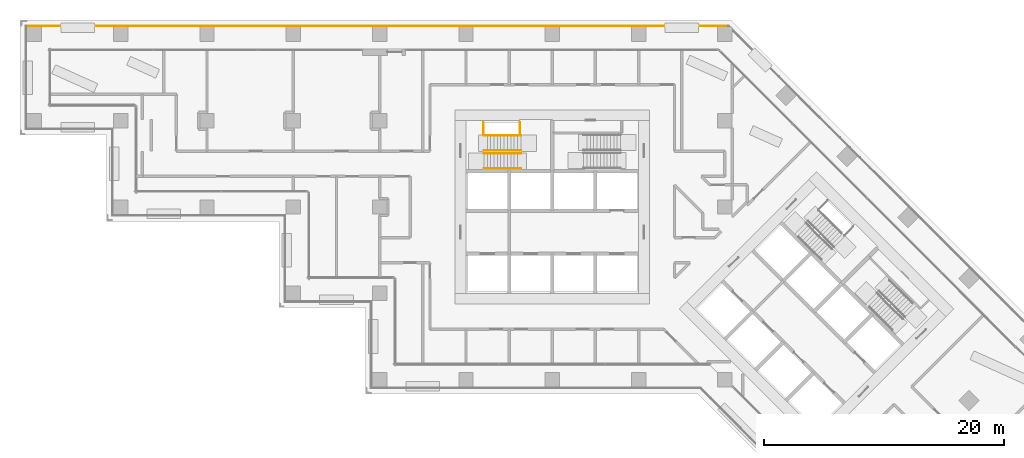
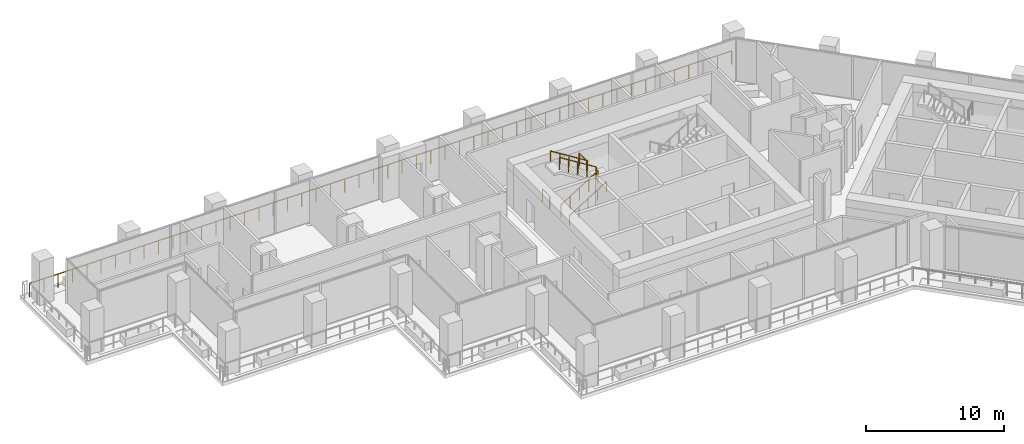
# One storey, part 19 of 24: 7 railings.
"""IFC4 building model written with IfcOpenShell, lengths in metres."""

from ifc_helpers import new_model, si_unit, direction, frame, origin, origin_2d, place, context, subcontext, project, spatial, circle, extrude, material, type_object, element, save


model = new_model("IFC4")

# Units and contexts
model_context = context("Model", 3, precision=1e-05, world=origin(), true_north=direction((0.0, 1.0)))
body_context = subcontext(model_context, "Body", "Model", "MODEL_VIEW")
ifc_project = project(units=[si_unit("LENGTHUNIT", "METRE"), si_unit("AREAUNIT", "SQUARE_METRE"), si_unit("VOLUMEUNIT", "CUBIC_METRE"), si_unit("PLANEANGLEUNIT", "RADIAN"), si_unit("MASSUNIT", "GRAM", prefix="KILO")], contexts=[model_context])

# Site, building, storey
site_placement = place(None, origin())
site = spatial("IfcSite", under=ifc_project, at=site_placement, CompositionType="ELEMENT")
building_placement = place(site_placement, origin())
building = spatial("IfcBuilding", under=site, at=building_placement, Name="Windrow Commons", CompositionType="ELEMENT")
storey_placement = place(building_placement, frame((0.0, 0.0, 77.0)))
storey = spatial("IfcBuildingStorey", under=building, at=storey_placement, Name="L20", CompositionType="ELEMENT", Elevation=77.0)

# Railings
ifc_material_1 = material(Name="Steel S355", Category="steel")
railing_type_1 = type_object("IfcRailingType", Name="Core stair guard 1100", PredefinedType="GUARDRAIL", material=ifc_material_1)
railing_1_placement = place(storey_placement, frame((59.1, 62.05, 0.175)))
element("IfcRailing", 1, at=railing_1_placement, inside=storey, type_object=railing_type_1, Name="L20 ST-A1 stair guard 1", PredefinedType="GUARDRAIL", context=body_context, shape_type="SweptSolid", body=[
    extrude(circle(Radius=0.024, at=origin_2d()), frame((0.0, 0.0, 1.076), z_axis=(0.847998304, 0.0, 0.52999894), x_axis=(0.0, 1.0, 0.0)), (0.0, 0.0, 1.0), 3.6321),
    extrude(circle(Radius=0.021, at=origin_2d()), origin(), (0.0, 0.0, 1.0), 1.052),
    extrude(circle(Radius=0.021, at=origin_2d()), frame((0.77, 0.0, 0.4812)), (0.0, 0.0, 1.0), 1.052),
    extrude(circle(Radius=0.021, at=origin_2d()), frame((1.54, 0.0, 0.9625)), (0.0, 0.0, 1.0), 1.052),
    extrude(circle(Radius=0.021, at=origin_2d()), frame((2.31, 0.0, 1.4437)), (0.0, 0.0, 1.0), 1.052),
    extrude(circle(Radius=0.021, at=origin_2d()), frame((3.08, 0.0, 1.925)), (0.0, 0.0, 1.0), 1.052),
])
railing_2_placement = place(storey_placement, frame((62.18, 62.3, 2.275)))
element("IfcRailing", 2, at=railing_2_placement, inside=storey, type_object=railing_type_1, Name="L20 ST-A1 stair guard 2", PredefinedType="GUARDRAIL", context=body_context, shape_type="SweptSolid", body=[
    extrude(circle(Radius=0.024, at=origin_2d()), frame((0.0, 0.0, 1.076), z_axis=(-0.847998304, 0.0, 0.52999894), x_axis=(0.0, -1.0, 0.0)), (0.0, 0.0, 1.0), 3.6321),
    extrude(circle(Radius=0.021, at=origin_2d()), origin(), (0.0, 0.0, 1.0), 1.052),
    extrude(circle(Radius=0.021, at=origin_2d()), frame((-0.77, 0.0, 0.4812)), (0.0, 0.0, 1.0), 1.052),
    extrude(circle(Radius=0.021, at=origin_2d()), frame((-1.54, 0.0, 0.9625)), (0.0, 0.0, 1.0), 1.052),
    extrude(circle(Radius=0.021, at=origin_2d()), frame((-2.31, 0.0, 1.4437)), (0.0, 0.0, 1.0), 1.052),
    extrude(circle(Radius=0.021, at=origin_2d()), frame((-3.08, 0.0, 1.925)), (0.0, 0.0, 1.0), 1.052),
])
for number, where, name in (
    (3, (59.05, 63.6, 0.0), "L20 ST-A1 stair guard 3"),
    (4, (62.11, 63.6, 2.1), "L20 ST-A1 stair guard 4"),
):
    element("IfcRailing", number, at=place(storey_placement, frame(where)), inside=storey, type_object=railing_type_1, Name=name, PredefinedType="GUARDRAIL", context=body_context, shape_type="SweptSolid", body=[
        extrude(circle(Radius=0.024, at=origin_2d()), frame((0.0, 0.0, 1.076), z_axis=(0.0, 1.0, 0.0), x_axis=(-1.0, 0.0, 0.0)), (0.0, 0.0, 1.0), 1.03),
        extrude(circle(Radius=0.021, at=origin_2d()), origin(), (0.0, 0.0, 1.0), 1.052),
        extrude(circle(Radius=0.021, at=origin_2d()), frame((0.0, 1.03, 0.0)), (0.0, 0.0, 1.0), 1.052),
    ])
ifc_material_2 = material(Name="Steel S355", Category="steel")
railing_type_2 = type_object("IfcRailingType", Name="Core stair handrail 900", PredefinedType="HANDRAIL", material=ifc_material_2)
railing_3_placement = place(storey_placement, frame((59.1, 60.8, 0.175)))
element("IfcRailing", 5, at=railing_3_placement, inside=storey, type_object=railing_type_2, Name="L20 ST-A1 stair handrail 1", PredefinedType="HANDRAIL", context=body_context, shape_type="SweptSolid", body=[
    extrude(circle(Radius=0.024, at=origin_2d()), frame((0.0, 0.0, 0.876), z_axis=(0.847998304, 0.0, 0.52999894), x_axis=(0.0, 1.0, 0.0)), (0.0, 0.0, 1.0), 3.6321),
    extrude(circle(Radius=0.021, at=origin_2d()), origin(), (0.0, 0.0, 1.0), 0.852),
    extrude(circle(Radius=0.021, at=origin_2d()), frame((0.77, 0.0, 0.4812)), (0.0, 0.0, 1.0), 0.852),
    extrude(circle(Radius=0.021, at=origin_2d()), frame((1.54, 0.0, 0.9625)), (0.0, 0.0, 1.0), 0.852),
    extrude(circle(Radius=0.021, at=origin_2d()), frame((2.31, 0.0, 1.4437)), (0.0, 0.0, 1.0), 0.852),
    extrude(circle(Radius=0.021, at=origin_2d()), frame((3.08, 0.0, 1.925)), (0.0, 0.0, 1.0), 0.852),
])
railing_4_placement = place(storey_placement, frame((62.18, 63.55, 2.275)))
element("IfcRailing", 6, at=railing_4_placement, inside=storey, type_object=railing_type_2, Name="L20 ST-A1 stair handrail 2", PredefinedType="HANDRAIL", context=body_context, shape_type="SweptSolid", body=[
    extrude(circle(Radius=0.024, at=origin_2d()), frame((0.0, 0.0, 0.876), z_axis=(-0.847998304, 0.0, 0.52999894), x_axis=(0.0, -1.0, 0.0)), (0.0, 0.0, 1.0), 3.6321),
    extrude(circle(Radius=0.021, at=origin_2d()), origin(), (0.0, 0.0, 1.0), 0.852),
    extrude(circle(Radius=0.021, at=origin_2d()), frame((-0.77, 0.0, 0.4812)), (0.0, 0.0, 1.0), 0.852),
    extrude(circle(Radius=0.021, at=origin_2d()), frame((-1.54, 0.0, 0.9625)), (0.0, 0.0, 1.0), 0.852),
    extrude(circle(Radius=0.021, at=origin_2d()), frame((-2.31, 0.0, 1.4437)), (0.0, 0.0, 1.0), 0.852),
    extrude(circle(Radius=0.021, at=origin_2d()), frame((-3.08, 0.0, 1.925)), (0.0, 0.0, 1.0), 0.852),
])
ifc_material_3 = material(Name="Stainless steel S316 balustrade with toughened glass infill", Category="steel")
railing_type_3 = type_object("IfcRailingType", Name="Terrace guard 1200 podium", PredefinedType="BALUSTRADE", material=ifc_material_3)
railing_5_placement = place(storey_placement, frame((20.9, 72.7, 0.05)))
element("IfcRailing", 7, at=railing_5_placement, inside=storey, type_object=railing_type_3, Name="Guard TR-L20-1.E9", PredefinedType="BALUSTRADE", context=body_context, shape_type="SweptSolid", body=[
    extrude(circle(Radius=0.025, at=origin_2d()), frame((0.0, 0.0, 1.175), z_axis=(1.0, 0.0, 0.0), x_axis=(0.0, 1.0, 0.0)), (0.0, 0.0, 1.0), 58.59),
    extrude(circle(Radius=0.02, at=origin_2d()), origin(), (0.0, 0.0, 1.0), 1.15),
    extrude(circle(Radius=0.02, at=origin_2d()), frame((1.1957, 0.0, 0.0)), (0.0, 0.0, 1.0), 1.15),
    extrude(circle(Radius=0.02, at=origin_2d()), frame((2.3914, 0.0, 0.0)), (0.0, 0.0, 1.0), 1.15),
    extrude(circle(Radius=0.02, at=origin_2d()), frame((3.5871, 0.0, 0.0)), (0.0, 0.0, 1.0), 1.15),
    extrude(circle(Radius=0.02, at=origin_2d()), frame((4.7829, 0.0, 0.0)), (0.0, 0.0, 1.0), 1.15),
    extrude(circle(Radius=0.02, at=origin_2d()), frame((5.9786, 0.0, 0.0)), (0.0, 0.0, 1.0), 1.15),
    extrude(circle(Radius=0.02, at=origin_2d()), frame((7.1743, 0.0, 0.0)), (0.0, 0.0, 1.0), 1.15),
    extrude(circle(Radius=0.02, at=origin_2d()), frame((8.37, 0.0, 0.0)), (0.0, 0.0, 1.0), 1.15),
    extrude(circle(Radius=0.02, at=origin_2d()), frame((9.5657, 0.0, 0.0)), (0.0, 0.0, 1.0), 1.15),
    extrude(circle(Radius=0.02, at=origin_2d()), frame((10.7614, 0.0, 0.0)), (0.0, 0.0, 1.0), 1.15),
    extrude(circle(Radius=0.02, at=origin_2d()), frame((11.9571, 0.0, 0.0)), (0.0, 0.0, 1.0), 1.15),
    extrude(circle(Radius=0.02, at=origin_2d()), frame((13.1529, 0.0, 0.0)), (0.0, 0.0, 1.0), 1.15),
    extrude(circle(Radius=0.02, at=origin_2d()), frame((14.3486, 0.0, 0.0)), (0.0, 0.0, 1.0), 1.15),
    extrude(circle(Radius=0.02, at=origin_2d()), frame((15.5443, 0.0, 0.0)), (0.0, 0.0, 1.0), 1.15),
    extrude(circle(Radius=0.02, at=origin_2d()), frame((16.74, 0.0, 0.0)), (0.0, 0.0, 1.0), 1.15),
    extrude(circle(Radius=0.02, at=origin_2d()), frame((17.9357, 0.0, 0.0)), (0.0, 0.0, 1.0), 1.15),
    extrude(circle(Radius=0.02, at=origin_2d()), frame((19.1314, 0.0, 0.0)), (0.0, 0.0, 1.0), 1.15),
    extrude(circle(Radius=0.02, at=origin_2d()), frame((20.3271, 0.0, 0.0)), (0.0, 0.0, 1.0), 1.15),
    extrude(circle(Radius=0.02, at=origin_2d()), frame((21.5229, 0.0, 0.0)), (0.0, 0.0, 1.0), 1.15),
    extrude(circle(Radius=0.02, at=origin_2d()), frame((22.7186, 0.0, 0.0)), (0.0, 0.0, 1.0), 1.15),
    extrude(circle(Radius=0.02, at=origin_2d()), frame((23.9143, 0.0, 0.0)), (0.0, 0.0, 1.0), 1.15),
    extrude(circle(Radius=0.02, at=origin_2d()), frame((25.11, 0.0, 0.0)), (0.0, 0.0, 1.0), 1.15),
    extrude(circle(Radius=0.02, at=origin_2d()), frame((26.3057, 0.0, 0.0)), (0.0, 0.0, 1.0), 1.15),
    extrude(circle(Radius=0.02, at=origin_2d()), frame((27.5014, 0.0, 0.0)), (0.0, 0.0, 1.0), 1.15),
    extrude(circle(Radius=0.02, at=origin_2d()), frame((28.6971, 0.0, 0.0)), (0.0, 0.0, 1.0), 1.15),
    extrude(circle(Radius=0.02, at=origin_2d()), frame((29.8929, 0.0, 0.0)), (0.0, 0.0, 1.0), 1.15),
    extrude(circle(Radius=0.02, at=origin_2d()), frame((31.0886, 0.0, 0.0)), (0.0, 0.0, 1.0), 1.15),
    extrude(circle(Radius=0.02, at=origin_2d()), frame((32.2843, 0.0, 0.0)), (0.0, 0.0, 1.0), 1.15),
    extrude(circle(Radius=0.02, at=origin_2d()), frame((33.48, 0.0, 0.0)), (0.0, 0.0, 1.0), 1.15),
    extrude(circle(Radius=0.02, at=origin_2d()), frame((34.6757, 0.0, 0.0)), (0.0, 0.0, 1.0), 1.15),
    extrude(circle(Radius=0.02, at=origin_2d()), frame((35.8714, 0.0, 0.0)), (0.0, 0.0, 1.0), 1.15),
    extrude(circle(Radius=0.02, at=origin_2d()), frame((37.0671, 0.0, 0.0)), (0.0, 0.0, 1.0), 1.15),
    extrude(circle(Radius=0.02, at=origin_2d()), frame((38.2629, 0.0, 0.0)), (0.0, 0.0, 1.0), 1.15),
    extrude(circle(Radius=0.02, at=origin_2d()), frame((39.4586, 0.0, 0.0)), (0.0, 0.0, 1.0), 1.15),
    extrude(circle(Radius=0.02, at=origin_2d()), frame((40.6543, 0.0, 0.0)), (0.0, 0.0, 1.0), 1.15),
    extrude(circle(Radius=0.02, at=origin_2d()), frame((41.85, 0.0, 0.0)), (0.0, 0.0, 1.0), 1.15),
    extrude(circle(Radius=0.02, at=origin_2d()), frame((43.0457, 0.0, 0.0)), (0.0, 0.0, 1.0), 1.15),
    extrude(circle(Radius=0.02, at=origin_2d()), frame((44.2414, 0.0, 0.0)), (0.0, 0.0, 1.0), 1.15),
    extrude(circle(Radius=0.02, at=origin_2d()), frame((45.4371, 0.0, 0.0)), (0.0, 0.0, 1.0), 1.15),
    extrude(circle(Radius=0.02, at=origin_2d()), frame((46.6329, 0.0, 0.0)), (0.0, 0.0, 1.0), 1.15),
    extrude(circle(Radius=0.02, at=origin_2d()), frame((47.8286, 0.0, 0.0)), (0.0, 0.0, 1.0), 1.15),
    extrude(circle(Radius=0.02, at=origin_2d()), frame((49.0243, 0.0, 0.0)), (0.0, 0.0, 1.0), 1.15),
    extrude(circle(Radius=0.02, at=origin_2d()), frame((50.22, 0.0, 0.0)), (0.0, 0.0, 1.0), 1.15),
    extrude(circle(Radius=0.02, at=origin_2d()), frame((51.4157, 0.0, 0.0)), (0.0, 0.0, 1.0), 1.15),
    extrude(circle(Radius=0.02, at=origin_2d()), frame((52.6114, 0.0, 0.0)), (0.0, 0.0, 1.0), 1.15),
    extrude(circle(Radius=0.02, at=origin_2d()), frame((53.8071, 0.0, 0.0)), (0.0, 0.0, 1.0), 1.15),
    extrude(circle(Radius=0.02, at=origin_2d()), frame((55.0029, 0.0, 0.0)), (0.0, 0.0, 1.0), 1.15),
    extrude(circle(Radius=0.02, at=origin_2d()), frame((56.1986, 0.0, 0.0)), (0.0, 0.0, 1.0), 1.15),
    extrude(circle(Radius=0.02, at=origin_2d()), frame((57.3943, 0.0, 0.0)), (0.0, 0.0, 1.0), 1.15),
    extrude(circle(Radius=0.02, at=origin_2d()), frame((58.59, 0.0, 0.0)), (0.0, 0.0, 1.0), 1.15),
])

save(model, "model.ifc")
